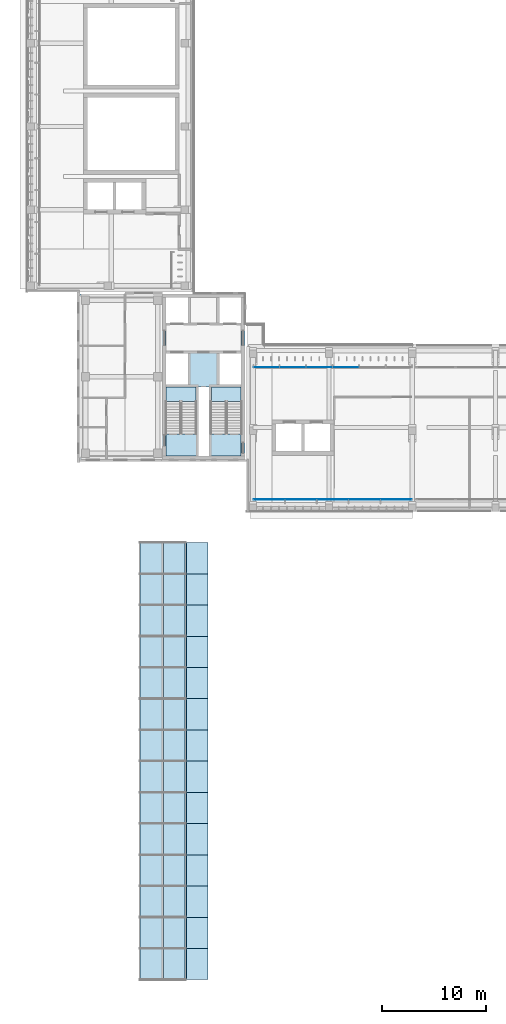
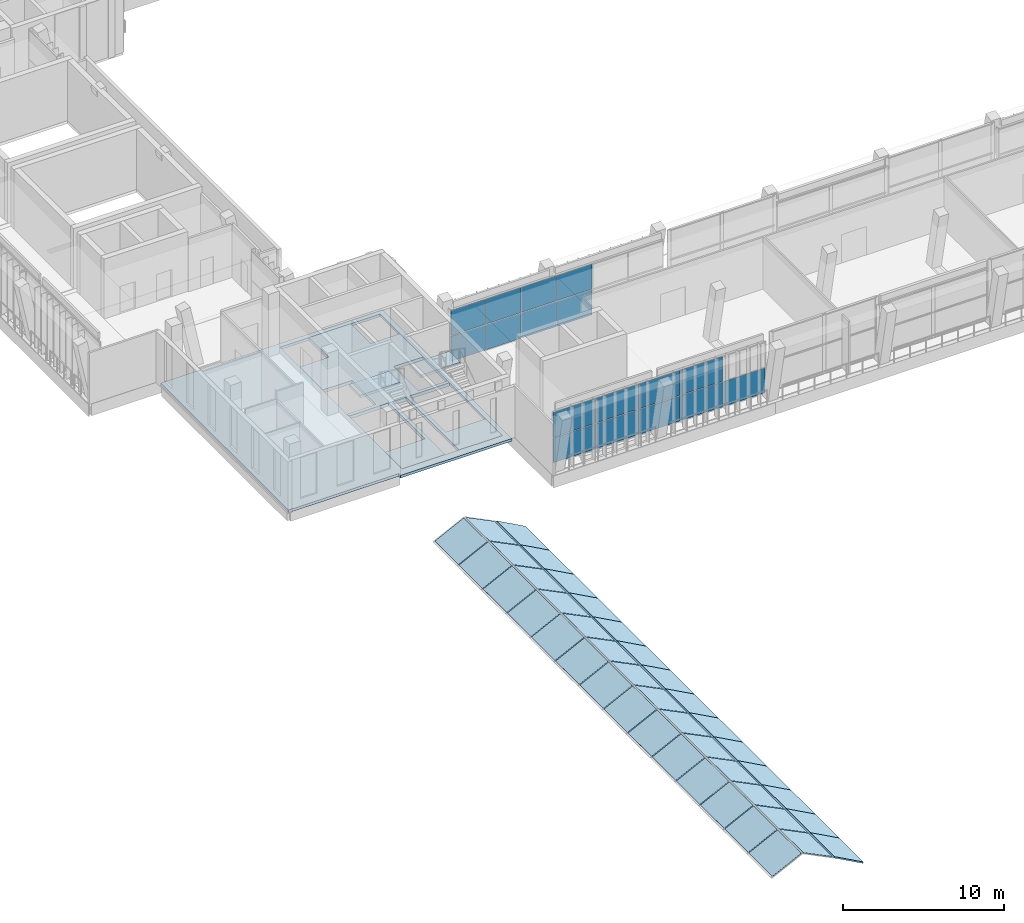
# One storey, part 37 of 73: 45 plates, 18 slabs, 5 elements without a shape of their own.
"""IFC4 building model written with IfcOpenShell, lengths in metres."""

from ifc_helpers import new_model, si_unit, direction, frame, origin, origin_2d, place, context, subcontext, project, spatial, polyline, rectangle, outline, extrude, material, layer, layer_set, type_object, element, aggregate, save


model = new_model("IFC4")

# Units and contexts
model_context = context("Model", 3, precision=1e-05, world=origin(), true_north=direction((0.0, 1.0)))
body_context = subcontext(model_context, "Body", "Model", "MODEL_VIEW")
ifc_project = project(units=[si_unit("LENGTHUNIT", "METRE"), si_unit("AREAUNIT", "SQUARE_METRE"), si_unit("VOLUMEUNIT", "CUBIC_METRE"), si_unit("PLANEANGLEUNIT", "RADIAN"), si_unit("MASSUNIT", "GRAM", prefix="KILO")], contexts=[model_context])

# Site, building, storey
site_placement = place(None, origin())
site = spatial("IfcSite", under=ifc_project, at=site_placement, CompositionType="ELEMENT")
building_placement = place(site_placement, origin())
building = spatial("IfcBuilding", under=site, at=building_placement, Name="Lantern Court Media Centre", CompositionType="ELEMENT")
storey_placement = place(building_placement, frame((0.0, 0.0, 24.0)))
storey = spatial("IfcBuildingStorey", under=building, at=storey_placement, Name="L05", CompositionType="ELEMENT", Elevation=24.0)

# Slab
ifc_material_1 = material(Name="Concrete C40", Category="concrete")
ifc_layer_1 = layer(ifc_material_1, 0.25)
ifc_layer_set_1 = layer_set([ifc_layer_1], Name="Concrete C40")
slab_type_1 = type_object("IfcSlabType", Name="Core floor slab 250", PredefinedType="FLOOR", material=ifc_layer_set_1)
slab_1_placement = place(storey_placement, frame((0.0, 0.0, -0.25)))
element("IfcSlab", 1, at=slab_1_placement, inside=storey, type_object=slab_type_1, Name="L05 SW core floor", PredefinedType="FLOOR", context=body_context, shape_type="SweptSolid", body=[
    extrude(outline(polyline([(16.35009765625, 58.199951171875), (16.35009765625, 61.10009765625), (18.449951171875, 61.10009765625), (18.449951171875, 63.550048828125), (21.449951171875, 63.550048828125), (21.449951171875, 61.10009765625), (23.550048828125, 61.10009765625), (23.550048828125, 58.199951171875), (21.449951171875, 58.199951171875), (21.449951171875, 55.199951171875), (23.550048828125, 55.199951171875), (23.550048828125, 54.94970703125), (20.700439453125, 54.94970703125), (20.700439453125, 50.450439453125), (23.550048828125, 50.450439453125), (23.550048828125, 48.35009765625), (20.449951171875, 48.35009765625), (20.449951171875, 54.949951171875), (19.449951171875, 54.949951171875), (19.449951171875, 48.35009765625), (16.35009765625, 48.35009765625), (16.35009765625, 50.450439453125), (19.19970703125, 50.450439453125), (19.19970703125, 54.94970703125), (16.35009765625, 54.94970703125), (16.35009765625, 55.199951171875), (18.449951171875, 55.199951171875), (18.449951171875, 58.199951171875), (16.35009765625, 58.199951171875)])), origin(), (0.0, 0.0, 1.0), 0.25),
])

# Curtain wall, plates
ifc_material_2 = material(Name="Curtain wall bay 2400")
curtain_wall_type_1 = type_object("IfcCurtainWallType", Name="Curtain wall bay 2400", PredefinedType="NOTDEFINED", material=ifc_material_2)
curtain_wall_1_placement = place(storey_placement, origin())
curtain_wall_1 = element("IfcCurtainWall", 2, at=curtain_wall_1_placement, inside=storey, type_object=curtain_wall_type_1, Name="Curtain wall S inner L05", PredefinedType="NOTDEFINED")
ifc_material_3 = material(Name="Low-iron double glazed unit glass", Category="glass")
ifc_layer_2 = layer(ifc_material_3, 0.02392578125)
ifc_layer_set_2 = layer_set([ifc_layer_2], Name="Low-iron double glazed unit glass")
plate_type_1 = type_object("IfcPlateType", Name="Curtain wall glazing unit 24", PredefinedType="CURTAIN_PANEL", material=ifc_layer_set_2)
plate_1_placement = place(storey_placement, frame((25.987548828125, 56.85009765625, 0.050048828125), z_axis=(0.0, 0.0, 1.0), x_axis=(1.0, 0.0, 0.0)))
plate_1 = element("IfcPlate", 3, at=plate_1_placement, type_object=plate_type_1, Name="CW2 panel 1.1", PredefinedType="CURTAIN_PANEL", context=body_context, shape_type="SweptSolid", body=[
    extrude(rectangle(XDim=2.47509765625, YDim=0.02392578125, at=origin_2d()), origin(), (0.0, 0.0, 1.0), 1.89990234375),
])
plate_2_placement = place(storey_placement, frame((25.987548828125, 56.85009765625, 2.0), z_axis=(0.0, 0.0, 1.0), x_axis=(1.0, 0.0, 0.0)))
plate_2 = element("IfcPlate", 4, at=plate_2_placement, type_object=plate_type_1, Name="CW2 panel 1.2", PredefinedType="CURTAIN_PANEL", context=body_context, shape_type="SweptSolid", body=[
    extrude(rectangle(XDim=2.47509765625, YDim=0.02392578125, at=origin_2d()), origin(), (0.0, 0.0, 1.0), 1.89990234375),
])
plate_3_placement = place(storey_placement, frame((28.52490234375, 56.85009765625, 0.050048828125), z_axis=(0.0, 0.0, 1.0), x_axis=(1.0, 0.0, 0.0)))
plate_3 = element("IfcPlate", 5, at=plate_3_placement, type_object=plate_type_1, Name="CW2 panel 2.1", PredefinedType="CURTAIN_PANEL", context=body_context, shape_type="SweptSolid", body=[
    extrude(rectangle(XDim=2.5, YDim=0.02392578125, at=origin_2d()), origin(), (0.0, 0.0, 1.0), 1.89990234375),
])
plate_4_placement = place(storey_placement, frame((28.52490234375, 56.85009765625, 2.0), z_axis=(0.0, 0.0, 1.0), x_axis=(1.0, 0.0, 0.0)))
plate_4 = element("IfcPlate", 6, at=plate_4_placement, type_object=plate_type_1, Name="CW2 panel 2.2", PredefinedType="CURTAIN_PANEL", context=body_context, shape_type="SweptSolid", body=[
    extrude(rectangle(XDim=2.5, YDim=0.02392578125, at=origin_2d()), origin(), (0.0, 0.0, 1.0), 1.89990234375),
])
plate_5_placement = place(storey_placement, frame((31.074951171875, 56.85009765625, 0.050048828125), z_axis=(0.0, 0.0, 1.0), x_axis=(1.0, 0.0, 0.0)))
plate_5 = element("IfcPlate", 7, at=plate_5_placement, type_object=plate_type_1, Name="CW2 panel 3.1", PredefinedType="CURTAIN_PANEL", context=body_context, shape_type="SweptSolid", body=[
    extrude(rectangle(XDim=2.5, YDim=0.02392578125, at=origin_2d()), origin(), (0.0, 0.0, 1.0), 1.89990234375),
])
plate_6_placement = place(storey_placement, frame((31.074951171875, 56.85009765625, 2.0), z_axis=(0.0, 0.0, 1.0), x_axis=(1.0, 0.0, 0.0)))
plate_6 = element("IfcPlate", 8, at=plate_6_placement, type_object=plate_type_1, Name="CW2 panel 3.2", PredefinedType="CURTAIN_PANEL", context=body_context, shape_type="SweptSolid", body=[
    extrude(rectangle(XDim=2.5, YDim=0.02392578125, at=origin_2d()), origin(), (0.0, 0.0, 1.0), 1.89990234375),
])
plate_7_placement = place(storey_placement, frame((33.625, 56.85009765625, 0.050048828125), z_axis=(0.0, 0.0, 1.0), x_axis=(1.0, 0.0, 0.0)))
plate_7 = element("IfcPlate", 9, at=plate_7_placement, type_object=plate_type_1, Name="CW2 panel 4.1", PredefinedType="CURTAIN_PANEL", context=body_context, shape_type="SweptSolid", body=[
    extrude(rectangle(XDim=2.5, YDim=0.02392578125, at=origin_2d()), origin(), (0.0, 0.0, 1.0), 1.89990234375),
])
plate_8_placement = place(storey_placement, frame((33.625, 56.85009765625, 2.0), z_axis=(0.0, 0.0, 1.0), x_axis=(1.0, 0.0, 0.0)))
plate_8 = element("IfcPlate", 10, at=plate_8_placement, type_object=plate_type_1, Name="CW2 panel 4.2", PredefinedType="CURTAIN_PANEL", context=body_context, shape_type="SweptSolid", body=[
    extrude(rectangle(XDim=2.5, YDim=0.02392578125, at=origin_2d()), origin(), (0.0, 0.0, 1.0), 1.89990234375),
])
aggregate(curtain_wall_1, [plate_1, plate_2, plate_3, plate_4, plate_5, plate_6, plate_7, plate_8])

ifc_material_4 = material(Name="Curtain wall bay 3000")
curtain_wall_type_2 = type_object("IfcCurtainWallType", Name="Curtain wall bay 3000", PredefinedType="NOTDEFINED", material=ifc_material_4)
curtain_wall_2_placement = place(storey_placement, origin())
curtain_wall_2 = element("IfcCurtainWall", 11, at=curtain_wall_2_placement, inside=storey, type_object=curtain_wall_type_2, Name="Curtain wall S outer L05", PredefinedType="NOTDEFINED")
ifc_layer_3 = layer(ifc_material_3, 0.028076171875)
ifc_layer_set_3 = layer_set([ifc_layer_3], Name="Low-iron double glazed unit glass")
plate_type_2 = type_object("IfcPlateType", Name="Curtain wall glazing unit 28", PredefinedType="CURTAIN_PANEL", material=ifc_layer_set_3)
plate_9_placement = place(storey_placement, frame((26.2451171875, 44.14990234375, 0.06005859375), z_axis=(0.0, 0.0, 1.0), x_axis=(1.0, 0.0, 0.0)))
plate_9 = element("IfcPlate", 12, at=plate_9_placement, type_object=plate_type_2, Name="CW1 panel 1.1", PredefinedType="CURTAIN_PANEL", context=body_context, shape_type="SweptSolid", body=[
    extrude(rectangle(XDim=2.969970703125, YDim=0.028076171875, at=origin_2d()), origin(), (0.0, 0.0, 1.0), 1.885009765625),
])
plate_10_placement = place(storey_placement, frame((26.2451171875, 44.14990234375, 2.0048828125), z_axis=(0.0, 0.0, 1.0), x_axis=(1.0, 0.0, 0.0)))
plate_10 = element("IfcPlate", 13, at=plate_10_placement, type_object=plate_type_2, Name="CW1 panel 1.2", PredefinedType="CURTAIN_PANEL", context=body_context, shape_type="SweptSolid", body=[
    extrude(rectangle(XDim=2.969970703125, YDim=0.028076171875, at=origin_2d()), origin(), (0.0, 0.0, 1.0), 1.885009765625),
])
plate_11_placement = place(storey_placement, frame((29.2900390625, 44.14990234375, 0.06005859375), z_axis=(0.0, 0.0, 1.0), x_axis=(1.0, 0.0, 0.0)))
plate_11 = element("IfcPlate", 14, at=plate_11_placement, type_object=plate_type_2, Name="CW1 panel 2.1", PredefinedType="CURTAIN_PANEL", context=body_context, shape_type="SweptSolid", body=[
    extrude(rectangle(XDim=3.0, YDim=0.028076171875, at=origin_2d()), origin(), (0.0, 0.0, 1.0), 1.885009765625),
])
plate_12_placement = place(storey_placement, frame((29.2900390625, 44.14990234375, 2.0048828125), z_axis=(0.0, 0.0, 1.0), x_axis=(1.0, 0.0, 0.0)))
plate_12 = element("IfcPlate", 15, at=plate_12_placement, type_object=plate_type_2, Name="CW1 panel 2.2", PredefinedType="CURTAIN_PANEL", context=body_context, shape_type="SweptSolid", body=[
    extrude(rectangle(XDim=3.0, YDim=0.028076171875, at=origin_2d()), origin(), (0.0, 0.0, 1.0), 1.885009765625),
])
plate_13_placement = place(storey_placement, frame((32.35009765625, 44.14990234375, 0.06005859375), z_axis=(0.0, 0.0, 1.0), x_axis=(1.0, 0.0, 0.0)))
plate_13 = element("IfcPlate", 16, at=plate_13_placement, type_object=plate_type_2, Name="CW1 panel 3.1", PredefinedType="CURTAIN_PANEL", context=body_context, shape_type="SweptSolid", body=[
    extrude(rectangle(XDim=3.0, YDim=0.028076171875, at=origin_2d()), origin(), (0.0, 0.0, 1.0), 1.885009765625),
])
plate_14_placement = place(storey_placement, frame((32.35009765625, 44.14990234375, 2.0048828125), z_axis=(0.0, 0.0, 1.0), x_axis=(1.0, 0.0, 0.0)))
plate_14 = element("IfcPlate", 17, at=plate_14_placement, type_object=plate_type_2, Name="CW1 panel 3.2", PredefinedType="CURTAIN_PANEL", context=body_context, shape_type="SweptSolid", body=[
    extrude(rectangle(XDim=3.0, YDim=0.028076171875, at=origin_2d()), origin(), (0.0, 0.0, 1.0), 1.885009765625),
])
plate_15_placement = place(storey_placement, frame((35.409912109375, 44.14990234375, 0.06005859375), z_axis=(0.0, 0.0, 1.0), x_axis=(1.0, 0.0, 0.0)))
plate_15 = element("IfcPlate", 18, at=plate_15_placement, type_object=plate_type_2, Name="CW1 panel 4.1", PredefinedType="CURTAIN_PANEL", context=body_context, shape_type="SweptSolid", body=[
    extrude(rectangle(XDim=3.0, YDim=0.028076171875, at=origin_2d()), origin(), (0.0, 0.0, 1.0), 1.885009765625),
])
plate_16_placement = place(storey_placement, frame((35.409912109375, 44.14990234375, 2.0048828125), z_axis=(0.0, 0.0, 1.0), x_axis=(1.0, 0.0, 0.0)))
plate_16 = element("IfcPlate", 19, at=plate_16_placement, type_object=plate_type_2, Name="CW1 panel 4.2", PredefinedType="CURTAIN_PANEL", context=body_context, shape_type="SweptSolid", body=[
    extrude(rectangle(XDim=3.0, YDim=0.028076171875, at=origin_2d()), origin(), (0.0, 0.0, 1.0), 1.885009765625),
])
plate_17_placement = place(storey_placement, frame((38.455078125, 44.14990234375, 0.06005859375), z_axis=(0.0, 0.0, 1.0), x_axis=(1.0, 0.0, 0.0)))
plate_17 = element("IfcPlate", 20, at=plate_17_placement, type_object=plate_type_2, Name="CW1 panel 5.1", PredefinedType="CURTAIN_PANEL", context=body_context, shape_type="SweptSolid", body=[
    extrude(rectangle(XDim=2.969970703125, YDim=0.028076171875, at=origin_2d()), origin(), (0.0, 0.0, 1.0), 1.885009765625),
])
aggregate(curtain_wall_2, [plate_9, plate_10, plate_11, plate_12, plate_13, plate_14, plate_15, plate_16, plate_17])

# Slabs
ifc_material_5 = material(Name="Zinc standing seam on insulation")
ifc_layer_4 = layer(ifc_material_5, 0.10009765625)
ifc_layer_set_4 = layer_set([ifc_layer_4], Name="Zinc standing seam on insulation")
slab_type_2 = type_object("IfcSlabType", Name="Hall roof panel, standing seam 100", PredefinedType="ROOF", material=ifc_layer_set_4)
for number, where, z_axis, x_axis, name in (
    (21, (18.29345703125, -2.0, 0.441650390625), (0.479979939595, 0.0, 0.877279463789), (0.877279463789, 0.0, -0.479979939595), "Cinema Hall roof panel"),
    (22, (18.29345703125, 1.0, 0.441650390625), (0.479979939595, 0.0, 0.877279463789), (0.877279463789, 0.0, -0.479979939595), "Cinema Hall roof panel"),
    (23, (18.29345703125, 4.0, 0.441650390625), (0.479979939595, 0.0, 0.877279463789), (0.877279463789, 0.0, -0.479979939595), "Cinema Hall roof panel"),
    (24, (18.29345703125, 7.0, 0.441650390625), (0.479979939595, 0.0, 0.877279463789), (0.877279463789, 0.0, -0.479979939595), "Cinema Hall roof panel"),
    (25, (18.29345703125, 10.0, 0.441650390625), (0.479979939595, 0.0, 0.877279463789), (0.877279463789, 0.0, -0.479979939595), "Cinema Hall roof panel"),
    (26, (18.29345703125, 13.0, 0.441650390625), (0.479979939595, 0.0, 0.877279463789), (0.877279463789, 0.0, -0.479979939595), "Cinema Hall roof panel"),
    (27, (18.29345703125, 16.0, 0.441650390625), (0.479979939595, 0.0, 0.877279463789), (0.877279463789, 0.0, -0.479979939595), "Cinema Hall roof panel"),
    (28, (18.29345703125, 19.0, 0.441650390625), (0.479979939595, 0.0, 0.877279463789), (0.877279463789, 0.0, -0.479979939595), "Cinema Hall roof panel"),
    (29, (18.29345703125, 22.0, 0.441650390625), (0.479979939595, 0.0, 0.877279463789), (0.877279463789, 0.0, -0.479979939595), "Cinema Hall roof panel"),
    (30, (18.29345703125, 25.0, 0.441650390625), (0.479979939595, 0.0, 0.877279463789), (0.877279463789, 0.0, -0.479979939595), "Cinema Hall roof panel"),
    (31, (18.29345703125, 28.0, 0.441650390625), (0.479979939595, 0.0, 0.877279463789), (0.877279463789, 0.0, -0.479979939595), "Cinema Hall roof panel"),
    (32, (18.29345703125, 31.0, 0.441650390625), (0.479979939595, 0.0, 0.877279463789), (0.877279463789, 0.0, -0.479979939595), "Cinema Hall roof panel"),
    (33, (18.29345703125, 34.0, 0.441650390625), (0.479979939595, 0.0, 0.877279463789), (0.877279463789, 0.0, -0.479979939595), "Cinema Hall roof panel"),
    (34, (18.29345703125, 37.0, 0.441650390625), (0.479979939595, 0.0, 0.877279463789), (0.877279463789, 0.0, -0.479979939595), "Cinema Hall roof panel"),
):
    element("IfcSlab", number, at=place(storey_placement, frame(where, z_axis=z_axis, x_axis=x_axis)), inside=storey, type_object=slab_type_2, Name=name, PredefinedType="ROOF", context=body_context, shape_type="SweptSolid", body=[
        extrude(outline(polyline([(0.0, 0.0), (2.36521115279827, 0.0), (2.36521115279827, 3.0), (0.0, 3.0), (0.0, 0.0)])), origin(), (0.0, 0.0, -1.0), 0.10009765625),
    ])

# Curtain wall, plates
ifc_material_6 = material(Name="Aluminium and glass", Category="aluminium")
ifc_layer_5 = layer(ifc_material_6, 0.14990234375)
ifc_layer_set_5 = layer_set([ifc_layer_5], Name="Aluminium and glass")
curtain_wall_type_3 = type_object("IfcCurtainWallType", Name="Hall lancet glazing", PredefinedType="NOTDEFINED", material=ifc_layer_set_5)
curtain_wall_3_placement = place(storey_placement, origin())
curtain_wall_3 = element("IfcCurtainWall", 35, at=curtain_wall_3_placement, inside=storey, type_object=curtain_wall_type_3, Name="Cinema Hall ridge roof-light", PredefinedType="NOTDEFINED")
ifc_material_7 = material(Name="Laminated glass 8+8", Category="glass")
ifc_layer_6 = layer(ifc_material_7, 0.06005859375)
ifc_layer_set_6 = layer_set([ifc_layer_6], Name="Laminated glass 8+8")
plate_type_3 = type_object("IfcPlateType", Name="Hall roof-light glazing", PredefinedType="CURTAIN_PANEL", material=ifc_layer_set_6)
plate_18_placement = place(storey_placement, frame((13.85205078125, -1.969970703125, 0.472412109375), z_axis=(-0.444015177477, 0.0, 0.896019264397), x_axis=(0.896019264397, 0.0, 0.444015177477)))
plate_18 = element("IfcPlate", 36, at=plate_18_placement, type_object=plate_type_3, Name="Cinema Hall roof-light panel", PredefinedType="CURTAIN_PANEL", context=body_context, shape_type="SweptSolid", body=[
    extrude(outline(polyline([(0.0, 0.0), (2.322555742036286, 0.0), (2.322555742036286, 2.9399414062500004), (0.0, 2.9399414062500004), (0.0, 0.0)])), origin(), (0.0, 0.0, -1.0), 0.06005859375),
])
plate_19_placement = place(storey_placement, frame((13.85205078125, 1.030029296875, 0.472412109375), z_axis=(-0.444015177477, 0.0, 0.896019264397), x_axis=(0.896019264397, 0.0, 0.444015177477)))
plate_19 = element("IfcPlate", 37, at=plate_19_placement, type_object=plate_type_3, Name="Cinema Hall roof-light panel", PredefinedType="CURTAIN_PANEL", context=body_context, shape_type="SweptSolid", body=[
    extrude(outline(polyline([(0.0, 0.0), (2.322555742036286, 0.0), (2.322555742036286, 2.9399414062500004), (0.0, 2.9399414062500004), (0.0, 0.0)])), origin(), (0.0, 0.0, -1.0), 0.06005859375),
])
plate_20_placement = place(storey_placement, frame((13.85205078125, 4.030029296875, 0.472412109375), z_axis=(-0.444015177477, 0.0, 0.896019264397), x_axis=(0.896019264397, 0.0, 0.444015177477)))
plate_20 = element("IfcPlate", 38, at=plate_20_placement, type_object=plate_type_3, Name="Cinema Hall roof-light panel", PredefinedType="CURTAIN_PANEL", context=body_context, shape_type="SweptSolid", body=[
    extrude(outline(polyline([(0.0, 0.0), (2.322555742036286, 0.0), (2.322555742036286, 2.9399414062500004), (0.0, 2.9399414062500004), (0.0, 0.0)])), origin(), (0.0, 0.0, -1.0), 0.06005859375),
])
plate_21_placement = place(storey_placement, frame((13.85205078125, 7.030029296875, 0.472412109375), z_axis=(-0.444015177477, 0.0, 0.896019264397), x_axis=(0.896019264397, 0.0, 0.444015177477)))
plate_21 = element("IfcPlate", 39, at=plate_21_placement, type_object=plate_type_3, Name="Cinema Hall roof-light panel", PredefinedType="CURTAIN_PANEL", context=body_context, shape_type="SweptSolid", body=[
    extrude(outline(polyline([(0.0, 0.0), (2.322555742036286, 0.0), (2.322555742036286, 2.9399414062500004), (0.0, 2.9399414062500004), (0.0, 0.0)])), origin(), (0.0, 0.0, -1.0), 0.06005859375),
])
plate_22_placement = place(storey_placement, frame((13.85205078125, 10.030029296875, 0.472412109375), z_axis=(-0.444015177477, 0.0, 0.896019264397), x_axis=(0.896019264397, 0.0, 0.444015177477)))
plate_22 = element("IfcPlate", 40, at=plate_22_placement, type_object=plate_type_3, Name="Cinema Hall roof-light panel", PredefinedType="CURTAIN_PANEL", context=body_context, shape_type="SweptSolid", body=[
    extrude(outline(polyline([(0.0, 0.0), (2.322555742036286, 0.0), (2.322555742036286, 2.9399414062500004), (0.0, 2.9399414062500004), (0.0, 0.0)])), origin(), (0.0, 0.0, -1.0), 0.06005859375),
])
plate_23_placement = place(storey_placement, frame((13.85205078125, 13.030029296875, 0.472412109375), z_axis=(-0.444015177477, 0.0, 0.896019264397), x_axis=(0.896019264397, 0.0, 0.444015177477)))
plate_23 = element("IfcPlate", 41, at=plate_23_placement, type_object=plate_type_3, Name="Cinema Hall roof-light panel", PredefinedType="CURTAIN_PANEL", context=body_context, shape_type="SweptSolid", body=[
    extrude(outline(polyline([(0.0, 0.0), (2.322555742036286, 0.0), (2.322555742036286, 2.9399414062500004), (0.0, 2.9399414062500004), (0.0, 0.0)])), origin(), (0.0, 0.0, -1.0), 0.06005859375),
])
plate_24_placement = place(storey_placement, frame((13.85205078125, 16.030029296875, 0.472412109375), z_axis=(-0.444015177477, 0.0, 0.896019264397), x_axis=(0.896019264397, 0.0, 0.444015177477)))
plate_24 = element("IfcPlate", 42, at=plate_24_placement, type_object=plate_type_3, Name="Cinema Hall roof-light panel", PredefinedType="CURTAIN_PANEL", context=body_context, shape_type="SweptSolid", body=[
    extrude(outline(polyline([(0.0, 0.0), (2.322555742036286, 0.0), (2.322555742036286, 2.9399414062500004), (0.0, 2.9399414062500004), (0.0, 0.0)])), origin(), (0.0, 0.0, -1.0), 0.06005859375),
])
plate_25_placement = place(storey_placement, frame((13.85205078125, 19.030029296875, 0.472412109375), z_axis=(-0.444015177477, 0.0, 0.896019264397), x_axis=(0.896019264397, 0.0, 0.444015177477)))
plate_25 = element("IfcPlate", 43, at=plate_25_placement, type_object=plate_type_3, Name="Cinema Hall roof-light panel", PredefinedType="CURTAIN_PANEL", context=body_context, shape_type="SweptSolid", body=[
    extrude(outline(polyline([(0.0, 0.0), (2.322555742036286, 0.0), (2.322555742036286, 2.9399414062500004), (0.0, 2.9399414062500004), (0.0, 0.0)])), origin(), (0.0, 0.0, -1.0), 0.06005859375),
])
plate_26_placement = place(storey_placement, frame((13.85205078125, 22.030029296875, 0.472412109375), z_axis=(-0.444015177477, 0.0, 0.896019264397), x_axis=(0.896019264397, 0.0, 0.444015177477)))
plate_26 = element("IfcPlate", 44, at=plate_26_placement, type_object=plate_type_3, Name="Cinema Hall roof-light panel", PredefinedType="CURTAIN_PANEL", context=body_context, shape_type="SweptSolid", body=[
    extrude(outline(polyline([(0.0, 0.0), (2.322555742036286, 0.0), (2.322555742036286, 2.9399414062500004), (0.0, 2.9399414062500004), (0.0, 0.0)])), origin(), (0.0, 0.0, -1.0), 0.06005859375),
])
plate_27_placement = place(storey_placement, frame((13.85205078125, 25.030029296875, 0.472412109375), z_axis=(-0.444015177477, 0.0, 0.896019264397), x_axis=(0.896019264397, 0.0, 0.444015177477)))
plate_27 = element("IfcPlate", 45, at=plate_27_placement, type_object=plate_type_3, Name="Cinema Hall roof-light panel", PredefinedType="CURTAIN_PANEL", context=body_context, shape_type="SweptSolid", body=[
    extrude(outline(polyline([(0.0, 0.0), (2.322555742036286, 0.0), (2.322555742036286, 2.9399414062500004), (0.0, 2.9399414062500004), (0.0, 0.0)])), origin(), (0.0, 0.0, -1.0), 0.06005859375),
])
plate_28_placement = place(storey_placement, frame((13.85205078125, 28.030029296875, 0.472412109375), z_axis=(-0.444015177477, 0.0, 0.896019264397), x_axis=(0.896019264397, 0.0, 0.444015177477)))
plate_28 = element("IfcPlate", 46, at=plate_28_placement, type_object=plate_type_3, Name="Cinema Hall roof-light panel", PredefinedType="CURTAIN_PANEL", context=body_context, shape_type="SweptSolid", body=[
    extrude(outline(polyline([(0.0, 0.0), (2.322555742036286, 0.0), (2.322555742036286, 2.9399414062500004), (0.0, 2.9399414062500004), (0.0, 0.0)])), origin(), (0.0, 0.0, -1.0), 0.06005859375),
])
plate_29_placement = place(storey_placement, frame((13.85205078125, 31.030029296875, 0.472412109375), z_axis=(-0.444015177477, 0.0, 0.896019264397), x_axis=(0.896019264397, 0.0, 0.444015177477)))
plate_29 = element("IfcPlate", 47, at=plate_29_placement, type_object=plate_type_3, Name="Cinema Hall roof-light panel", PredefinedType="CURTAIN_PANEL", context=body_context, shape_type="SweptSolid", body=[
    extrude(outline(polyline([(0.0, 0.0), (2.322555742036286, 0.0), (2.322555742036286, 2.9399414062500004), (0.0, 2.9399414062500004), (0.0, 0.0)])), origin(), (0.0, 0.0, -1.0), 0.06005859375),
])
plate_30_placement = place(storey_placement, frame((13.85205078125, 34.030029296875, 0.472412109375), z_axis=(-0.444015177477, 0.0, 0.896019264397), x_axis=(0.896019264397, 0.0, 0.444015177477)))
plate_30 = element("IfcPlate", 48, at=plate_30_placement, type_object=plate_type_3, Name="Cinema Hall roof-light panel", PredefinedType="CURTAIN_PANEL", context=body_context, shape_type="SweptSolid", body=[
    extrude(outline(polyline([(0.0, 0.0), (2.322555742036286, 0.0), (2.322555742036286, 2.9399414062500004), (0.0, 2.9399414062500004), (0.0, 0.0)])), origin(), (0.0, 0.0, -1.0), 0.06005859375),
])
plate_31_placement = place(storey_placement, frame((13.85205078125, 37.030029296875, 0.472412109375), z_axis=(-0.444015177477, 0.0, 0.896019264397), x_axis=(0.896019264397, 0.0, 0.444015177477)))
plate_31 = element("IfcPlate", 49, at=plate_31_placement, type_object=plate_type_3, Name="Cinema Hall roof-light panel", PredefinedType="CURTAIN_PANEL", context=body_context, shape_type="SweptSolid", body=[
    extrude(outline(polyline([(0.0, 0.0), (2.322555742036286, 0.0), (2.322555742036286, 2.9399414062500004), (0.0, 2.9399414062500004), (0.0, 0.0)])), origin(), (0.0, 0.0, -1.0), 0.06005859375),
])
plate_32_placement = place(storey_placement, frame((16.06689453125, -1.969970703125, 1.503662109375), z_axis=(0.444015177477, 0.0, 0.896019264397), x_axis=(0.896019264397, 0.0, -0.444015177477)))
plate_32 = element("IfcPlate", 50, at=plate_32_placement, type_object=plate_type_3, Name="Cinema Hall roof-light panel", PredefinedType="CURTAIN_PANEL", context=body_context, shape_type="SweptSolid", body=[
    extrude(outline(polyline([(0.0, 0.0), (2.322555742036286, 0.0), (2.322555742036286, 2.9399414062500004), (0.0, 2.9399414062500004), (0.0, 0.0)])), origin(), (0.0, 0.0, -1.0), 0.06005859375),
])
plate_33_placement = place(storey_placement, frame((16.06689453125, 1.030029296875, 1.503662109375), z_axis=(0.444015177477, 0.0, 0.896019264397), x_axis=(0.896019264397, 0.0, -0.444015177477)))
plate_33 = element("IfcPlate", 51, at=plate_33_placement, type_object=plate_type_3, Name="Cinema Hall roof-light panel", PredefinedType="CURTAIN_PANEL", context=body_context, shape_type="SweptSolid", body=[
    extrude(outline(polyline([(0.0, 0.0), (2.322555742036286, 0.0), (2.322555742036286, 2.9399414062500004), (0.0, 2.9399414062500004), (0.0, 0.0)])), origin(), (0.0, 0.0, -1.0), 0.06005859375),
])
plate_34_placement = place(storey_placement, frame((16.06689453125, 4.030029296875, 1.503662109375), z_axis=(0.444015177477, 0.0, 0.896019264397), x_axis=(0.896019264397, 0.0, -0.444015177477)))
plate_34 = element("IfcPlate", 52, at=plate_34_placement, type_object=plate_type_3, Name="Cinema Hall roof-light panel", PredefinedType="CURTAIN_PANEL", context=body_context, shape_type="SweptSolid", body=[
    extrude(outline(polyline([(0.0, 0.0), (2.322555742036286, 0.0), (2.322555742036286, 2.9399414062500004), (0.0, 2.9399414062500004), (0.0, 0.0)])), origin(), (0.0, 0.0, -1.0), 0.06005859375),
])
plate_35_placement = place(storey_placement, frame((16.06689453125, 7.030029296875, 1.503662109375), z_axis=(0.444015177477, 0.0, 0.896019264397), x_axis=(0.896019264397, 0.0, -0.444015177477)))
plate_35 = element("IfcPlate", 53, at=plate_35_placement, type_object=plate_type_3, Name="Cinema Hall roof-light panel", PredefinedType="CURTAIN_PANEL", context=body_context, shape_type="SweptSolid", body=[
    extrude(outline(polyline([(0.0, 0.0), (2.322555742036286, 0.0), (2.322555742036286, 2.9399414062500004), (0.0, 2.9399414062500004), (0.0, 0.0)])), origin(), (0.0, 0.0, -1.0), 0.06005859375),
])
plate_36_placement = place(storey_placement, frame((16.06689453125, 10.030029296875, 1.503662109375), z_axis=(0.444015177477, 0.0, 0.896019264397), x_axis=(0.896019264397, 0.0, -0.444015177477)))
plate_36 = element("IfcPlate", 54, at=plate_36_placement, type_object=plate_type_3, Name="Cinema Hall roof-light panel", PredefinedType="CURTAIN_PANEL", context=body_context, shape_type="SweptSolid", body=[
    extrude(outline(polyline([(0.0, 0.0), (2.322555742036286, 0.0), (2.322555742036286, 2.9399414062500004), (0.0, 2.9399414062500004), (0.0, 0.0)])), origin(), (0.0, 0.0, -1.0), 0.06005859375),
])
plate_37_placement = place(storey_placement, frame((16.06689453125, 13.030029296875, 1.503662109375), z_axis=(0.444015177477, 0.0, 0.896019264397), x_axis=(0.896019264397, 0.0, -0.444015177477)))
plate_37 = element("IfcPlate", 55, at=plate_37_placement, type_object=plate_type_3, Name="Cinema Hall roof-light panel", PredefinedType="CURTAIN_PANEL", context=body_context, shape_type="SweptSolid", body=[
    extrude(outline(polyline([(0.0, 0.0), (2.322555742036286, 0.0), (2.322555742036286, 2.9399414062500004), (0.0, 2.9399414062500004), (0.0, 0.0)])), origin(), (0.0, 0.0, -1.0), 0.06005859375),
])
plate_38_placement = place(storey_placement, frame((16.06689453125, 16.030029296875, 1.503662109375), z_axis=(0.444015177477, 0.0, 0.896019264397), x_axis=(0.896019264397, 0.0, -0.444015177477)))
plate_38 = element("IfcPlate", 56, at=plate_38_placement, type_object=plate_type_3, Name="Cinema Hall roof-light panel", PredefinedType="CURTAIN_PANEL", context=body_context, shape_type="SweptSolid", body=[
    extrude(outline(polyline([(0.0, 0.0), (2.322555742036286, 0.0), (2.322555742036286, 2.9399414062500004), (0.0, 2.9399414062500004), (0.0, 0.0)])), origin(), (0.0, 0.0, -1.0), 0.06005859375),
])
plate_39_placement = place(storey_placement, frame((16.06689453125, 19.030029296875, 1.503662109375), z_axis=(0.444015177477, 0.0, 0.896019264397), x_axis=(0.896019264397, 0.0, -0.444015177477)))
plate_39 = element("IfcPlate", 57, at=plate_39_placement, type_object=plate_type_3, Name="Cinema Hall roof-light panel", PredefinedType="CURTAIN_PANEL", context=body_context, shape_type="SweptSolid", body=[
    extrude(outline(polyline([(0.0, 0.0), (2.322555742036286, 0.0), (2.322555742036286, 2.9399414062500004), (0.0, 2.9399414062500004), (0.0, 0.0)])), origin(), (0.0, 0.0, -1.0), 0.06005859375),
])
plate_40_placement = place(storey_placement, frame((16.06689453125, 22.030029296875, 1.503662109375), z_axis=(0.444015177477, 0.0, 0.896019264397), x_axis=(0.896019264397, 0.0, -0.444015177477)))
plate_40 = element("IfcPlate", 58, at=plate_40_placement, type_object=plate_type_3, Name="Cinema Hall roof-light panel", PredefinedType="CURTAIN_PANEL", context=body_context, shape_type="SweptSolid", body=[
    extrude(outline(polyline([(0.0, 0.0), (2.322555742036286, 0.0), (2.322555742036286, 2.9399414062500004), (0.0, 2.9399414062500004), (0.0, 0.0)])), origin(), (0.0, 0.0, -1.0), 0.06005859375),
])
plate_41_placement = place(storey_placement, frame((16.06689453125, 25.030029296875, 1.503662109375), z_axis=(0.444015177477, 0.0, 0.896019264397), x_axis=(0.896019264397, 0.0, -0.444015177477)))
plate_41 = element("IfcPlate", 59, at=plate_41_placement, type_object=plate_type_3, Name="Cinema Hall roof-light panel", PredefinedType="CURTAIN_PANEL", context=body_context, shape_type="SweptSolid", body=[
    extrude(outline(polyline([(0.0, 0.0), (2.322555742036286, 0.0), (2.322555742036286, 2.9399414062500004), (0.0, 2.9399414062500004), (0.0, 0.0)])), origin(), (0.0, 0.0, -1.0), 0.06005859375),
])
plate_42_placement = place(storey_placement, frame((16.06689453125, 28.030029296875, 1.503662109375), z_axis=(0.444015177477, 0.0, 0.896019264397), x_axis=(0.896019264397, 0.0, -0.444015177477)))
plate_42 = element("IfcPlate", 60, at=plate_42_placement, type_object=plate_type_3, Name="Cinema Hall roof-light panel", PredefinedType="CURTAIN_PANEL", context=body_context, shape_type="SweptSolid", body=[
    extrude(outline(polyline([(0.0, 0.0), (2.322555742036286, 0.0), (2.322555742036286, 2.9399414062500004), (0.0, 2.9399414062500004), (0.0, 0.0)])), origin(), (0.0, 0.0, -1.0), 0.06005859375),
])
plate_43_placement = place(storey_placement, frame((16.06689453125, 31.030029296875, 1.503662109375), z_axis=(0.444015177477, 0.0, 0.896019264397), x_axis=(0.896019264397, 0.0, -0.444015177477)))
plate_43 = element("IfcPlate", 61, at=plate_43_placement, type_object=plate_type_3, Name="Cinema Hall roof-light panel", PredefinedType="CURTAIN_PANEL", context=body_context, shape_type="SweptSolid", body=[
    extrude(outline(polyline([(0.0, 0.0), (2.322555742036286, 0.0), (2.322555742036286, 2.9399414062500004), (0.0, 2.9399414062500004), (0.0, 0.0)])), origin(), (0.0, 0.0, -1.0), 0.06005859375),
])
plate_44_placement = place(storey_placement, frame((16.06689453125, 34.030029296875, 1.503662109375), z_axis=(0.444015177477, 0.0, 0.896019264397), x_axis=(0.896019264397, 0.0, -0.444015177477)))
plate_44 = element("IfcPlate", 62, at=plate_44_placement, type_object=plate_type_3, Name="Cinema Hall roof-light panel", PredefinedType="CURTAIN_PANEL", context=body_context, shape_type="SweptSolid", body=[
    extrude(outline(polyline([(0.0, 0.0), (2.322555742036286, 0.0), (2.322555742036286, 2.9399414062500004), (0.0, 2.9399414062500004), (0.0, 0.0)])), origin(), (0.0, 0.0, -1.0), 0.06005859375),
])
plate_45_placement = place(storey_placement, frame((16.06689453125, 37.030029296875, 1.503662109375), z_axis=(0.444015177477, 0.0, 0.896019264397), x_axis=(0.896019264397, 0.0, -0.444015177477)))
plate_45 = element("IfcPlate", 63, at=plate_45_placement, type_object=plate_type_3, Name="Cinema Hall roof-light panel", PredefinedType="CURTAIN_PANEL", context=body_context, shape_type="SweptSolid", body=[
    extrude(outline(polyline([(0.0, 0.0), (2.322555742036286, 0.0), (2.322555742036286, 2.9399414062500004), (0.0, 2.9399414062500004), (0.0, 0.0)])), origin(), (0.0, 0.0, -1.0), 0.06005859375),
])
aggregate(curtain_wall_3, [plate_18, plate_19, plate_20, plate_21, plate_22, plate_23, plate_24, plate_25, plate_26, plate_27, plate_28, plate_29, plate_30, plate_31, plate_32, plate_33, plate_34, plate_35, plate_36, plate_37, plate_38, plate_39, plate_40, plate_41, plate_42, plate_43, plate_44, plate_45])

# Slab
ifc_material_8 = material(Name="Concrete C35", Category="concrete")
ifc_layer_7 = layer(ifc_material_8, 0.199951171875)
ifc_layer_set_7 = layer_set([ifc_layer_7], Name="Concrete C35")
slab_type_3 = type_object("IfcSlabType", Name="RC FLOOR SLAB 200", PredefinedType="FLOOR", material=ifc_layer_set_7)
slab_2_placement = place(storey_placement, frame((0.0, 0.0, -0.199951171875)))
element("IfcSlab", 64, at=slab_2_placement, inside=storey, type_object=slab_type_3, Name="SL-SW-L05", PredefinedType="FLOOR", context=body_context, shape_type="SweptSolid", body=[
    extrude(outline(polyline([(8.0, 63.89990234375), (23.89990234375, 63.89990234375), (23.89990234375, 48.0), (23.89990234375, 47.780029296875), (15.89990234375, 47.780029296875), (15.89990234375, 48.0), (8.0, 48.0), (8.0, 63.89990234375)]), holes=[polyline([(16.35009765625, 63.550048828125), (16.35009765625, 48.35009765625), (23.550048828125, 48.35009765625), (23.550048828125, 63.550048828125), (16.35009765625, 63.550048828125)])]), origin(), (0.0, 0.0, 1.0), 0.199951171875),
])

# Stair, slab
stair_type = type_object("IfcStairType", Name="Exit stair 1350", PredefinedType="HALF_TURN_STAIR", material=ifc_material_1)
stair_1_placement = place(storey_placement, origin())
stair_1 = element("IfcStair", 65, at=stair_1_placement, inside=storey, type_object=stair_type, Name="L05 SW exit stair A", PredefinedType="HALF_TURN_STAIR")
ifc_layer_8 = layer(ifc_material_1, 0.199951171875)
ifc_layer_set_8 = layer_set([ifc_layer_8], Name="Concrete C40")
slab_type_4 = type_object("IfcSlabType", Name="Stair landing RC 200", PredefinedType="LANDING", material=ifc_layer_set_8)
slab_3_placement = place(storey_placement, frame((0.0, 0.0, 2.199951171875)))
slab_3 = element("IfcSlab", 66, at=slab_3_placement, type_object=slab_type_4, Name="ST-SWA landing 1", PredefinedType="LANDING", context=body_context, shape_type="SweptSolid", body=[
    extrude(outline(polyline([(19.199951171875, 53.570068359375), (19.199951171875, 54.949951171875), (16.35009765625, 54.949951171875), (16.35009765625, 53.570068359375), (19.199951171875, 53.570068359375)])), origin(), (0.0, 0.0, 1.0), 0.199951171875),
])
aggregate(stair_1, [slab_3])

stair_2_placement = place(storey_placement, origin())
stair_2 = element("IfcStair", 67, at=stair_2_placement, inside=storey, type_object=stair_type, Name="L05 SW exit stair B", PredefinedType="HALF_TURN_STAIR")
slab_4_placement = place(storey_placement, frame((0.0, 0.0, 2.199951171875)))
slab_4 = element("IfcSlab", 68, at=slab_4_placement, type_object=slab_type_4, Name="ST-SWB landing 1", PredefinedType="LANDING", context=body_context, shape_type="SweptSolid", body=[
    extrude(outline(polyline([(23.550048828125, 53.570068359375), (23.550048828125, 54.949951171875), (20.699951171875, 54.949951171875), (20.699951171875, 53.570068359375), (23.550048828125, 53.570068359375)])), origin(), (0.0, 0.0, 1.0), 0.199951171875),
])
aggregate(stair_2, [slab_4])

save(model, "model.ifc")
